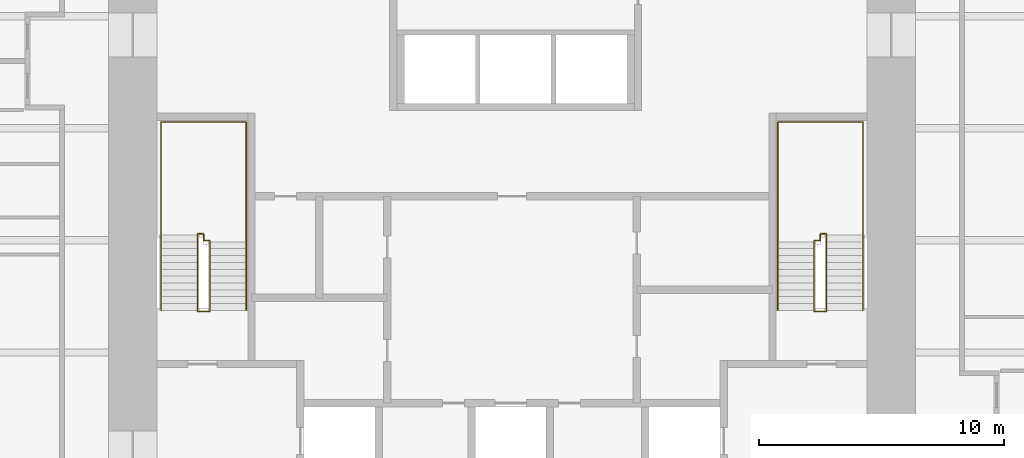
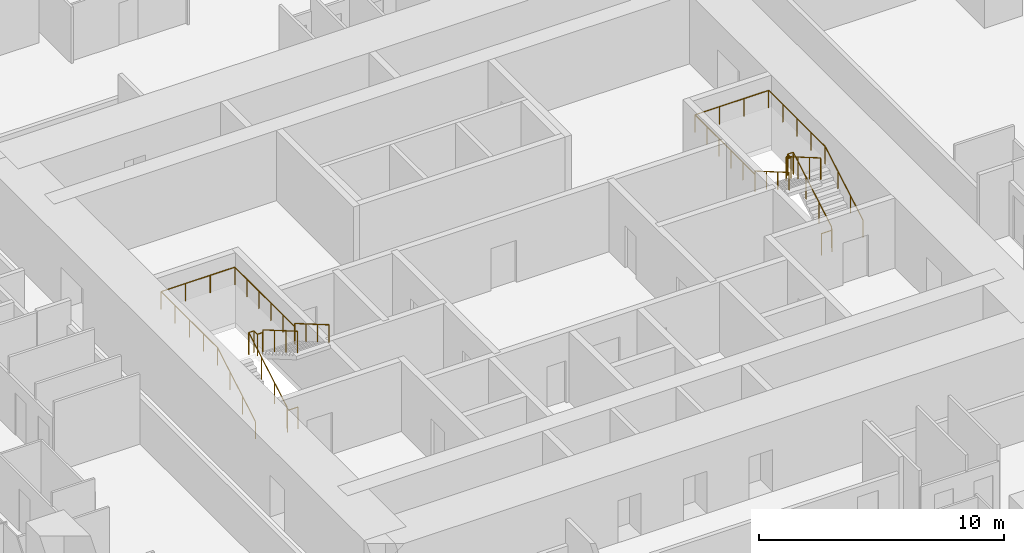
# One storey, part 13 of 13: 4 railings.
"""IFC4 building model written with IfcOpenShell, lengths in metres."""

from ifc_helpers import new_model, si_unit, direction, frame, origin, origin_2d, place, context, subcontext, project, spatial, circle, extrude, material, type_object, element, save


model = new_model("IFC4")

# Units and contexts
model_context = context("Model", 3, precision=1e-05, world=origin(), true_north=direction((0.0, 1.0)))
body_context = subcontext(model_context, "Body", "Model", "MODEL_VIEW")
ifc_project = project(units=[si_unit("LENGTHUNIT", "METRE"), si_unit("AREAUNIT", "SQUARE_METRE"), si_unit("VOLUMEUNIT", "CUBIC_METRE"), si_unit("PLANEANGLEUNIT", "RADIAN"), si_unit("MASSUNIT", "GRAM", prefix="KILO")], contexts=[model_context])

# Site, building, storey
site_placement = place(None, origin())
site = spatial("IfcSite", under=ifc_project, at=site_placement, CompositionType="ELEMENT")
building_placement = place(site_placement, origin())
building = spatial("IfcBuilding", under=site, at=building_placement, Name="Khuree Lantern Residences", CompositionType="ELEMENT")
storey_placement = place(building_placement, frame((0.0, 0.0, 148.5)))
storey = spatial("IfcBuildingStorey", under=building, at=storey_placement, Name="L37", CompositionType="ELEMENT", Elevation=148.5)

# Railings
ifc_material = material(Name="Steel S355", Category="steel")
railing_type_1 = type_object("IfcRailingType", Name="STAIR GUARD G1 1100", PredefinedType="GUARDRAIL", material=ifc_material)
railing_1_placement = place(storey_placement, frame((-12.35009765625, -2.909912109375, 0.0)))
element("IfcRailing", 1, at=railing_1_placement, inside=storey, type_object=railing_type_1, Name="Stair ST1 guard", PredefinedType="GUARDRAIL", context=body_context, shape_type="SweptSolid", body=[
    extrude(circle(Radius=0.02392578125, at=origin_2d()), frame((0.0, 0.0, 1.076171875), z_axis=(-1.0, 0.0, 0.0), x_axis=(0.0, -1.0, 0.0)), (0.0, 0.0, 1.0), 0.5),
    extrude(circle(Radius=0.02392578125, at=origin_2d()), frame((-0.5, 0.0, 1.076171875), z_axis=(0.0, 0.292073035251, 0.95639601739), x_axis=(-1.0, 0.0, 0.0)), (0.0, 0.0, 1.0), 0.17041015625),
    extrude(circle(Radius=0.02392578125, at=origin_2d()), frame((-0.5, 0.0498046875, 1.2392578125), z_axis=(0.0, 0.864176135923, 0.503189433615), x_axis=(-1.0, 0.0, 0.0)), (0.0, 0.0, 1.0), 3.564208984375),
    extrude(circle(Radius=0.02392578125, at=origin_2d()), frame((-0.5, 3.1298828125, 3.03271484375), z_axis=(0.0, 1.0, 0.0), x_axis=(-1.0, 0.0, 0.0)), (0.0, 0.0, 1.0), 0.050048828125),
    extrude(circle(Radius=0.02392578125, at=origin_2d()), frame((-0.5, 3.179931640625, 3.03271484375), z_axis=(1.0, 0.0, 0.0), x_axis=(0.0, 1.0, 0.0)), (0.0, 0.0, 1.0), 0.25),
    extrude(circle(Radius=0.02392578125, at=origin_2d()), frame((-0.25, 3.179931640625, 3.03271484375), z_axis=(0.0, -1.0, 0.0), x_axis=(1.0, 0.0, 0.0)), (0.0, 0.0, 1.0), 0.280029296875),
    extrude(circle(Radius=0.02392578125, at=origin_2d()), frame((-0.25, 2.89990234375, 3.03271484375), z_axis=(1.0, 0.0, 0.0), x_axis=(0.0, 1.0, 0.0)), (0.0, 0.0, 1.0), 0.25),
    extrude(circle(Radius=0.02392578125, at=origin_2d()), frame((0.0, 2.89990234375, 3.03271484375), z_axis=(0.0, -0.293381807449, 0.955995353053), x_axis=(1.0, 0.0, 0.0)), (0.0, 0.0, 1.0), 0.170654296875),
    extrude(circle(Radius=0.02392578125, at=origin_2d()), frame((0.0, 2.849853515625, 3.19580078125), z_axis=(0.0, -0.864180358799, 0.503182181189), x_axis=(1.0, 0.0, 0.0)), (0.0, 0.0, 1.0), 3.240234375),
    extrude(circle(Radius=0.02099609375, at=origin_2d()), origin(), (0.0, 0.0, 1.0), 1.052001953125),
    extrude(circle(Radius=0.02099609375, at=origin_2d()), frame((-0.5, 0.0, 0.0)), (0.0, 0.0, 1.0), 1.052001953125),
    extrude(circle(Radius=0.02099609375, at=origin_2d()), frame((-0.5, 0.0498046875, 0.1630859375)), (0.0, 0.0, 1.0), 1.052001953125),
    extrude(circle(Radius=0.02099609375, at=origin_2d()), frame((-0.5, 1.076416015625, 0.760986328125)), (0.0, 0.0, 1.0), 1.052001953125),
    extrude(circle(Radius=0.02099609375, at=origin_2d()), frame((-0.5, 2.103271484375, 1.358642578125)), (0.0, 0.0, 1.0), 1.052001953125),
    extrude(circle(Radius=0.02099609375, at=origin_2d()), frame((-0.5, 3.1298828125, 1.95654296875)), (0.0, 0.0, 1.0), 1.052001953125),
    extrude(circle(Radius=0.02099609375, at=origin_2d()), frame((-0.5, 3.179931640625, 1.95654296875)), (0.0, 0.0, 1.0), 1.052001953125),
    extrude(circle(Radius=0.02099609375, at=origin_2d()), frame((-0.25, 3.179931640625, 1.95654296875)), (0.0, 0.0, 1.0), 1.052001953125),
    extrude(circle(Radius=0.02099609375, at=origin_2d()), frame((-0.25, 2.89990234375, 1.95654296875)), (0.0, 0.0, 1.0), 1.052001953125),
    extrude(circle(Radius=0.02099609375, at=origin_2d()), frame((0.0, 2.89990234375, 1.95654296875)), (0.0, 0.0, 1.0), 1.052001953125),
    extrude(circle(Radius=0.02099609375, at=origin_2d()), frame((0.0, 2.849853515625, 2.11962890625)), (0.0, 0.0, 1.0), 1.052001953125),
    extrude(circle(Radius=0.02099609375, at=origin_2d()), frame((0.0, 1.91650390625, 2.6630859375)), (0.0, 0.0, 1.0), 1.052001953125),
    extrude(circle(Radius=0.02099609375, at=origin_2d()), frame((0.0, 0.983154296875, 3.20654296875)), (0.0, 0.0, 1.0), 1.052001953125),
    extrude(circle(Radius=0.02099609375, at=origin_2d()), frame((0.0, 0.0498046875, 3.75)), (0.0, 0.0, 1.0), 1.052001953125),
])
railing_2_placement = place(storey_placement, frame((12.35009765625, -2.909912109375, 0.0)))
element("IfcRailing", 2, at=railing_2_placement, inside=storey, type_object=railing_type_1, Name="Stair ST2 guard", PredefinedType="GUARDRAIL", context=body_context, shape_type="SweptSolid", body=[
    extrude(circle(Radius=0.02392578125, at=origin_2d()), frame((0.0, 0.0, 1.076171875), z_axis=(1.0, 0.0, 0.0), x_axis=(0.0, 1.0, 0.0)), (0.0, 0.0, 1.0), 0.5),
    extrude(circle(Radius=0.02392578125, at=origin_2d()), frame((0.5, 0.0, 1.076171875), z_axis=(0.0, 0.292073035251, 0.95639601739), x_axis=(-1.0, 0.0, 0.0)), (0.0, 0.0, 1.0), 0.17041015625),
    extrude(circle(Radius=0.02392578125, at=origin_2d()), frame((0.5, 0.0498046875, 1.2392578125), z_axis=(0.0, 0.864176135923, 0.503189433615), x_axis=(-1.0, 0.0, 0.0)), (0.0, 0.0, 1.0), 3.564208984375),
    extrude(circle(Radius=0.02392578125, at=origin_2d()), frame((0.5, 3.1298828125, 3.03271484375), z_axis=(0.0, 1.0, 0.0), x_axis=(-1.0, 0.0, 0.0)), (0.0, 0.0, 1.0), 0.050048828125),
    extrude(circle(Radius=0.02392578125, at=origin_2d()), frame((0.5, 3.179931640625, 3.03271484375), z_axis=(-1.0, 0.0, 0.0), x_axis=(0.0, -1.0, 0.0)), (0.0, 0.0, 1.0), 0.25),
    extrude(circle(Radius=0.02392578125, at=origin_2d()), frame((0.25, 3.179931640625, 3.03271484375), z_axis=(0.0, -1.0, 0.0), x_axis=(1.0, 0.0, 0.0)), (0.0, 0.0, 1.0), 0.280029296875),
    extrude(circle(Radius=0.02392578125, at=origin_2d()), frame((0.25, 2.89990234375, 3.03271484375), z_axis=(-1.0, 0.0, 0.0), x_axis=(0.0, -1.0, 0.0)), (0.0, 0.0, 1.0), 0.25),
    extrude(circle(Radius=0.02392578125, at=origin_2d()), frame((0.0, 2.89990234375, 3.03271484375), z_axis=(0.0, -0.293381807449, 0.955995353053), x_axis=(1.0, 0.0, 0.0)), (0.0, 0.0, 1.0), 0.170654296875),
    extrude(circle(Radius=0.02392578125, at=origin_2d()), frame((0.0, 2.849853515625, 3.19580078125), z_axis=(0.0, -0.864180358799, 0.503182181189), x_axis=(1.0, 0.0, 0.0)), (0.0, 0.0, 1.0), 3.240234375),
    extrude(circle(Radius=0.02099609375, at=origin_2d()), origin(), (0.0, 0.0, 1.0), 1.052001953125),
    extrude(circle(Radius=0.02099609375, at=origin_2d()), frame((0.5, 0.0, 0.0)), (0.0, 0.0, 1.0), 1.052001953125),
    extrude(circle(Radius=0.02099609375, at=origin_2d()), frame((0.5, 0.0498046875, 0.1630859375)), (0.0, 0.0, 1.0), 1.052001953125),
    extrude(circle(Radius=0.02099609375, at=origin_2d()), frame((0.5, 1.076416015625, 0.760986328125)), (0.0, 0.0, 1.0), 1.052001953125),
    extrude(circle(Radius=0.02099609375, at=origin_2d()), frame((0.5, 2.103271484375, 1.358642578125)), (0.0, 0.0, 1.0), 1.052001953125),
    extrude(circle(Radius=0.02099609375, at=origin_2d()), frame((0.5, 3.1298828125, 1.95654296875)), (0.0, 0.0, 1.0), 1.052001953125),
    extrude(circle(Radius=0.02099609375, at=origin_2d()), frame((0.5, 3.179931640625, 1.95654296875)), (0.0, 0.0, 1.0), 1.052001953125),
    extrude(circle(Radius=0.02099609375, at=origin_2d()), frame((0.25, 3.179931640625, 1.95654296875)), (0.0, 0.0, 1.0), 1.052001953125),
    extrude(circle(Radius=0.02099609375, at=origin_2d()), frame((0.25, 2.89990234375, 1.95654296875)), (0.0, 0.0, 1.0), 1.052001953125),
    extrude(circle(Radius=0.02099609375, at=origin_2d()), frame((0.0, 2.89990234375, 1.95654296875)), (0.0, 0.0, 1.0), 1.052001953125),
    extrude(circle(Radius=0.02099609375, at=origin_2d()), frame((0.0, 2.849853515625, 2.11962890625)), (0.0, 0.0, 1.0), 1.052001953125),
    extrude(circle(Radius=0.02099609375, at=origin_2d()), frame((0.0, 1.91650390625, 2.6630859375)), (0.0, 0.0, 1.0), 1.052001953125),
    extrude(circle(Radius=0.02099609375, at=origin_2d()), frame((0.0, 0.983154296875, 3.20654296875)), (0.0, 0.0, 1.0), 1.052001953125),
    extrude(circle(Radius=0.02099609375, at=origin_2d()), frame((0.0, 0.0498046875, 3.75)), (0.0, 0.0, 1.0), 1.052001953125),
])
railing_type_2 = type_object("IfcRailingType", Name="STAIR HANDRAIL H1 900", PredefinedType="HANDRAIL", material=ifc_material)
railing_3_placement = place(storey_placement, frame((-14.340087890625, -2.860107421875, 0.1630859375)))
element("IfcRailing", 3, at=railing_3_placement, inside=storey, type_object=railing_type_2, Name="Stair ST1 handrail", PredefinedType="HANDRAIL", context=body_context, shape_type="SweptSolid", body=[
    extrude(circle(Radius=0.02392578125, at=origin_2d()), frame((0.0, 0.0, 0.8759765625), z_axis=(0.0, 0.864176135923, 0.503189433615), x_axis=(-1.0, 0.0, 0.0)), (0.0, 0.0, 1.0), 3.564208984375),
    extrude(circle(Radius=0.02392578125, at=origin_2d()), frame((0.0, 3.080078125, 2.66943359375), z_axis=(0.0, 1.0, 0.0), x_axis=(-1.0, 0.0, 0.0)), (0.0, 0.0, 1.0), 4.6201171875),
    extrude(circle(Radius=0.02392578125, at=origin_2d()), frame((0.0, 7.7001953125, 2.66943359375), z_axis=(1.0, 0.0, 0.0), x_axis=(0.0, 1.0, 0.0)), (0.0, 0.0, 1.0), 3.47998046875),
    extrude(circle(Radius=0.02392578125, at=origin_2d()), frame((3.47998046875, 7.7001953125, 2.66943359375), z_axis=(0.0, -1.0, 0.0), x_axis=(1.0, 0.0, 0.0)), (0.0, 0.0, 1.0), 4.900146484375),
    extrude(circle(Radius=0.02392578125, at=origin_2d()), frame((3.47998046875, 2.800048828125, 2.66943359375), z_axis=(0.0, 0.0, 1.0), x_axis=(1.0, 0.0, 0.0)), (0.0, 0.0, 1.0), 0.1630859375),
    extrude(circle(Radius=0.02392578125, at=origin_2d()), frame((3.47998046875, 2.800048828125, 2.83251953125), z_axis=(0.0, -0.864180358799, 0.503182181189), x_axis=(1.0, 0.0, 0.0)), (0.0, 0.0, 1.0), 3.240234375),
    extrude(circle(Radius=0.02099609375, at=origin_2d()), origin(), (0.0, 0.0, 1.0), 0.851806640625),
    extrude(circle(Radius=0.02099609375, at=origin_2d()), frame((0.0, 1.026611328125, 0.597900390625)), (0.0, 0.0, 1.0), 0.851806640625),
    extrude(circle(Radius=0.02099609375, at=origin_2d()), frame((0.0, 2.053466796875, 1.195556640625)), (0.0, 0.0, 1.0), 0.851806640625),
    extrude(circle(Radius=0.02099609375, at=origin_2d()), frame((0.0, 3.080078125, 1.79345703125)), (0.0, 0.0, 1.0), 0.851806640625),
    extrude(circle(Radius=0.02099609375, at=origin_2d()), frame((0.0, 4.235107421875, 1.79345703125)), (0.0, 0.0, 1.0), 0.851806640625),
    extrude(circle(Radius=0.02099609375, at=origin_2d()), frame((0.0, 5.39013671875, 1.79345703125)), (0.0, 0.0, 1.0), 0.851806640625),
    extrude(circle(Radius=0.02099609375, at=origin_2d()), frame((0.0, 6.545166015625, 1.79345703125)), (0.0, 0.0, 1.0), 0.851806640625),
    extrude(circle(Radius=0.02099609375, at=origin_2d()), frame((0.0, 7.7001953125, 1.79345703125)), (0.0, 0.0, 1.0), 0.851806640625),
    extrude(circle(Radius=0.02099609375, at=origin_2d()), frame((1.159912109375, 7.7001953125, 1.79345703125)), (0.0, 0.0, 1.0), 0.851806640625),
    extrude(circle(Radius=0.02099609375, at=origin_2d()), frame((2.320068359375, 7.7001953125, 1.79345703125)), (0.0, 0.0, 1.0), 0.851806640625),
    extrude(circle(Radius=0.02099609375, at=origin_2d()), frame((3.47998046875, 7.7001953125, 1.79345703125)), (0.0, 0.0, 1.0), 0.851806640625),
    extrude(circle(Radius=0.02099609375, at=origin_2d()), frame((3.47998046875, 6.72021484375, 1.79345703125)), (0.0, 0.0, 1.0), 0.851806640625),
    extrude(circle(Radius=0.02099609375, at=origin_2d()), frame((3.47998046875, 5.740234375, 1.79345703125)), (0.0, 0.0, 1.0), 0.851806640625),
    extrude(circle(Radius=0.02099609375, at=origin_2d()), frame((3.47998046875, 4.760009765625, 1.79345703125)), (0.0, 0.0, 1.0), 0.851806640625),
    extrude(circle(Radius=0.02099609375, at=origin_2d()), frame((3.47998046875, 3.780029296875, 1.79345703125)), (0.0, 0.0, 1.0), 0.851806640625),
    extrude(circle(Radius=0.02099609375, at=origin_2d()), frame((3.47998046875, 2.800048828125, 1.79345703125)), (0.0, 0.0, 1.0), 0.851806640625),
    extrude(circle(Radius=0.02099609375, at=origin_2d()), frame((3.47998046875, 2.800048828125, 1.95654296875)), (0.0, 0.0, 1.0), 0.851806640625),
    extrude(circle(Radius=0.02099609375, at=origin_2d()), frame((3.47998046875, 1.86669921875, 2.5)), (0.0, 0.0, 1.0), 0.851806640625),
    extrude(circle(Radius=0.02099609375, at=origin_2d()), frame((3.47998046875, 0.933349609375, 3.04345703125)), (0.0, 0.0, 1.0), 0.851806640625),
    extrude(circle(Radius=0.02099609375, at=origin_2d()), frame((3.47998046875, 0.0, 3.5869140625)), (0.0, 0.0, 1.0), 0.851806640625),
])
railing_4_placement = place(storey_placement, frame((14.340087890625, -2.860107421875, 0.1630859375)))
element("IfcRailing", 4, at=railing_4_placement, inside=storey, type_object=railing_type_2, Name="Stair ST2 handrail", PredefinedType="HANDRAIL", context=body_context, shape_type="SweptSolid", body=[
    extrude(circle(Radius=0.02392578125, at=origin_2d()), frame((0.0, 0.0, 0.8759765625), z_axis=(0.0, 0.864176135923, 0.503189433615), x_axis=(-1.0, 0.0, 0.0)), (0.0, 0.0, 1.0), 3.564208984375),
    extrude(circle(Radius=0.02392578125, at=origin_2d()), frame((0.0, 3.080078125, 2.66943359375), z_axis=(0.0, 1.0, 0.0), x_axis=(-1.0, 0.0, 0.0)), (0.0, 0.0, 1.0), 4.6201171875),
    extrude(circle(Radius=0.02392578125, at=origin_2d()), frame((0.0, 7.7001953125, 2.66943359375), z_axis=(-1.0, 0.0, 0.0), x_axis=(0.0, -1.0, 0.0)), (0.0, 0.0, 1.0), 3.47998046875),
    extrude(circle(Radius=0.02392578125, at=origin_2d()), frame((-3.47998046875, 7.7001953125, 2.66943359375), z_axis=(0.0, -1.0, 0.0), x_axis=(1.0, 0.0, 0.0)), (0.0, 0.0, 1.0), 4.900146484375),
    extrude(circle(Radius=0.02392578125, at=origin_2d()), frame((-3.47998046875, 2.800048828125, 2.66943359375), z_axis=(0.0, 0.0, 1.0), x_axis=(1.0, 0.0, 0.0)), (0.0, 0.0, 1.0), 0.1630859375),
    extrude(circle(Radius=0.02392578125, at=origin_2d()), frame((-3.47998046875, 2.800048828125, 2.83251953125), z_axis=(0.0, -0.864180358799, 0.503182181189), x_axis=(1.0, 0.0, 0.0)), (0.0, 0.0, 1.0), 3.240234375),
    extrude(circle(Radius=0.02099609375, at=origin_2d()), origin(), (0.0, 0.0, 1.0), 0.851806640625),
    extrude(circle(Radius=0.02099609375, at=origin_2d()), frame((0.0, 1.026611328125, 0.597900390625)), (0.0, 0.0, 1.0), 0.851806640625),
    extrude(circle(Radius=0.02099609375, at=origin_2d()), frame((0.0, 2.053466796875, 1.195556640625)), (0.0, 0.0, 1.0), 0.851806640625),
    extrude(circle(Radius=0.02099609375, at=origin_2d()), frame((0.0, 3.080078125, 1.79345703125)), (0.0, 0.0, 1.0), 0.851806640625),
    extrude(circle(Radius=0.02099609375, at=origin_2d()), frame((0.0, 4.235107421875, 1.79345703125)), (0.0, 0.0, 1.0), 0.851806640625),
    extrude(circle(Radius=0.02099609375, at=origin_2d()), frame((0.0, 5.39013671875, 1.79345703125)), (0.0, 0.0, 1.0), 0.851806640625),
    extrude(circle(Radius=0.02099609375, at=origin_2d()), frame((0.0, 6.545166015625, 1.79345703125)), (0.0, 0.0, 1.0), 0.851806640625),
    extrude(circle(Radius=0.02099609375, at=origin_2d()), frame((0.0, 7.7001953125, 1.79345703125)), (0.0, 0.0, 1.0), 0.851806640625),
    extrude(circle(Radius=0.02099609375, at=origin_2d()), frame((-1.159912109375, 7.7001953125, 1.79345703125)), (0.0, 0.0, 1.0), 0.851806640625),
    extrude(circle(Radius=0.02099609375, at=origin_2d()), frame((-2.320068359375, 7.7001953125, 1.79345703125)), (0.0, 0.0, 1.0), 0.851806640625),
    extrude(circle(Radius=0.02099609375, at=origin_2d()), frame((-3.47998046875, 7.7001953125, 1.79345703125)), (0.0, 0.0, 1.0), 0.851806640625),
    extrude(circle(Radius=0.02099609375, at=origin_2d()), frame((-3.47998046875, 6.72021484375, 1.79345703125)), (0.0, 0.0, 1.0), 0.851806640625),
    extrude(circle(Radius=0.02099609375, at=origin_2d()), frame((-3.47998046875, 5.740234375, 1.79345703125)), (0.0, 0.0, 1.0), 0.851806640625),
    extrude(circle(Radius=0.02099609375, at=origin_2d()), frame((-3.47998046875, 4.760009765625, 1.79345703125)), (0.0, 0.0, 1.0), 0.851806640625),
    extrude(circle(Radius=0.02099609375, at=origin_2d()), frame((-3.47998046875, 3.780029296875, 1.79345703125)), (0.0, 0.0, 1.0), 0.851806640625),
    extrude(circle(Radius=0.02099609375, at=origin_2d()), frame((-3.47998046875, 2.800048828125, 1.79345703125)), (0.0, 0.0, 1.0), 0.851806640625),
    extrude(circle(Radius=0.02099609375, at=origin_2d()), frame((-3.47998046875, 2.800048828125, 1.95654296875)), (0.0, 0.0, 1.0), 0.851806640625),
    extrude(circle(Radius=0.02099609375, at=origin_2d()), frame((-3.47998046875, 1.86669921875, 2.5)), (0.0, 0.0, 1.0), 0.851806640625),
    extrude(circle(Radius=0.02099609375, at=origin_2d()), frame((-3.47998046875, 0.933349609375, 3.04345703125)), (0.0, 0.0, 1.0), 0.851806640625),
    extrude(circle(Radius=0.02099609375, at=origin_2d()), frame((-3.47998046875, 0.0, 3.5869140625)), (0.0, 0.0, 1.0), 0.851806640625),
])

save(model, "model.ifc")
